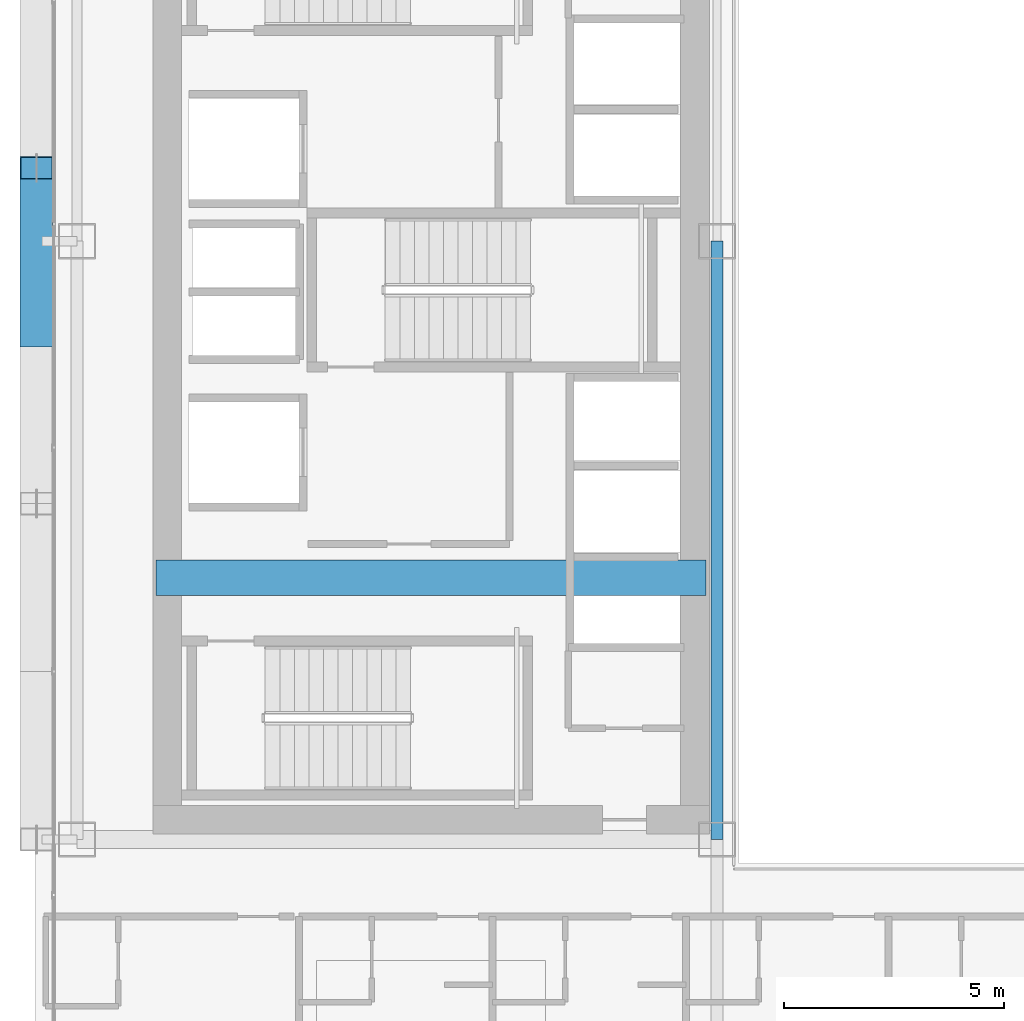
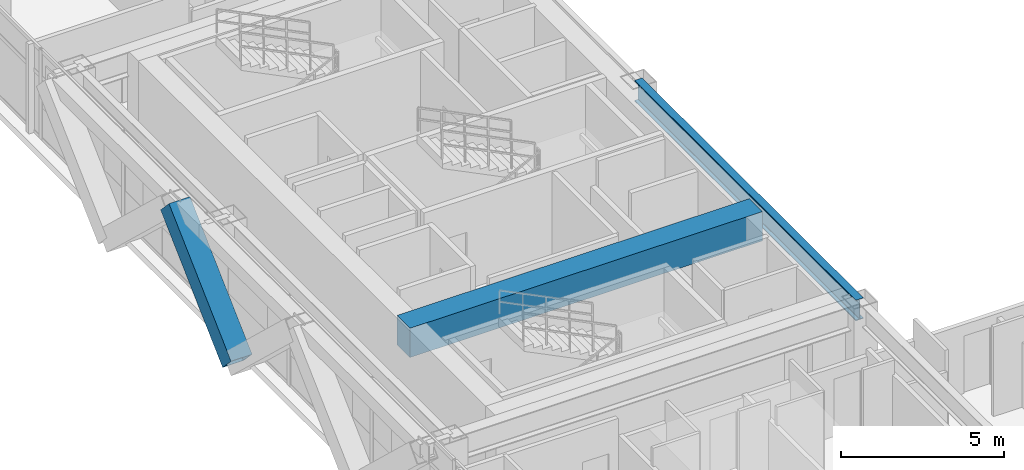
# One storey, part 7 of 35: 2 beams, 1 member.
"""IFC4 building model written with IfcOpenShell, lengths in metres."""

from ifc_helpers import new_model, si_unit, direction, frame, origin, origin_2d, place, context, subcontext, project, spatial, rectangle, hollow_rectangle, i_section, extrude, source, transform, mapped, material, material_profile, profile_set, type_object, element, save


model = new_model("IFC4")

# Units and contexts
model_context = context("Model", 3, precision=1e-05, world=origin(), true_north=direction((0.0, 1.0)))
body_context = subcontext(model_context, "Body", "Model", "MODEL_VIEW")
ifc_project = project(units=[si_unit("LENGTHUNIT", "METRE"), si_unit("AREAUNIT", "SQUARE_METRE"), si_unit("VOLUMEUNIT", "CUBIC_METRE"), si_unit("PLANEANGLEUNIT", "RADIAN"), si_unit("MASSUNIT", "GRAM", prefix="KILO")], contexts=[model_context])

# Site, building, storey
site_placement = place(None, origin())
site = spatial("IfcSite", under=ifc_project, at=site_placement, CompositionType="ELEMENT")
building_placement = place(site_placement, origin())
building = spatial("IfcBuilding", under=site, at=building_placement, Name="Ocotamira Hotel", CompositionType="ELEMENT")
storey_placement = place(building_placement, frame((0.0, 0.0, 100.800048828125)))
storey = spatial("IfcBuildingStorey", under=building, at=storey_placement, Name="L24", CompositionType="ELEMENT", Elevation=100.800048828125)

# Beams
ifc_material_1 = material(Name="Concrete C60/75", Category="concrete")
ifc_material_profile_1 = material_profile(ifc_material_1, rectangle(XDim=0.800048828125, YDim=1.10009765625, at=origin_2d()), Name="RC800X1100")
ifc_profile_set_1 = profile_set([ifc_material_profile_1], Name="Concrete C60/75")
beam_type_1 = type_object("IfcBeamType", Name="BM-LINK-RC800", PredefinedType="LINTEL", material=ifc_profile_set_1)
shared_shape_1 = source(origin(), body_context, "Body", "SweptSolid", [
    extrude(rectangle(XDim=0.800048828125, YDim=1.10009765625, at=origin_2d()), origin(), (0.0, 0.0, 1.0), 12.5),
])
beam_1_placement = place(storey_placement, frame((10.75, 20.5, 2.81005859375), z_axis=(1.0, 0.0, 0.0), x_axis=(0.0, 1.0, 0.0)))
element("IfcBeam", 1, at=beam_1_placement, inside=storey, type_object=beam_type_1, Name="L24 West Core Coupling Beam", PredefinedType="LINTEL", context=body_context, shape_type="MappedRepresentation", body=[
    mapped(shared_shape_1, transform((0.0, 0.0, 0.0), scale=1.0)),
])
ifc_material_2 = material(Name="Steel ASTM A992 Grade 50", Category="steel")
ifc_material_profile_2 = material_profile(ifc_material_2, i_section(OverallWidth=0.26611328125, OverallDepth=0.779052734375, WebThickness=0.0166015625, FlangeThickness=0.030029296875, FilletRadius=0.01806640625, at=origin_2d()), Name="W30X148")
ifc_profile_set_2 = profile_set([ifc_material_profile_2], Name="Steel ASTM A992 Grade 50")
beam_type_2 = type_object("IfcBeamType", Name="BM-GIRD-W30X148", PredefinedType="BEAM", material=ifc_profile_set_2)
shared_shape_2 = source(origin(), body_context, "Body", "SweptSolid", [
    extrude(i_section(OverallWidth=0.26611328125, OverallDepth=0.779052734375, WebThickness=0.0166015625, FlangeThickness=0.030029296875, FilletRadius=0.01806640625, at=origin_2d()), origin(), (0.0, 0.0, 1.0), 13.599853515625),
])
beam_2_placement = place(storey_placement, frame((23.5, 14.550048828125, 2.970458984375), z_axis=(0.0, 1.0, 0.0), x_axis=(-1.0, 0.0, 0.0)))
element("IfcBeam", 2, at=beam_2_placement, inside=storey, type_object=beam_type_2, Name="L24 Beam X23.5 Y14.55-28.15", PredefinedType="BEAM", context=body_context, shape_type="MappedRepresentation", body=[
    mapped(shared_shape_2, transform((0.0, 0.0, 0.0), scale=1.0)),
])

# Member
ifc_material_3 = material(Name="Pale-metal coated steel ASTM A913 Grade 65", Category="steel")
ifc_material_profile_3 = material_profile(ifc_material_3, hollow_rectangle(XDim=0.75, YDim=0.75, WallThickness=0.028076171875, at=origin_2d()), Name="BOX750X750X28")
ifc_profile_set_3 = profile_set([ifc_material_profile_3], Name="Pale-metal coated steel ASTM A913 Grade 65")
member_type = type_object("IfcMemberType", Name="MEM-EXO-BOX750", PredefinedType="BRACE", material=ifc_profile_set_3)
shared_shape_3 = source(origin(), body_context, "Body", "SweptSolid", [
    extrude(hollow_rectangle(XDim=0.75, YDim=0.75, WallThickness=0.028076171875, at=origin_2d()), origin(), (0.0, 0.0, 1.0), 5.24658203125),
])
member_placement = place(storey_placement, frame((8.030029296875, 26.0, -0.489990234375), z_axis=(0.0, 0.72746596067, 0.686143772154), x_axis=(-1.0, 0.0, 0.0)))
element("IfcMember", 3, at=member_placement, inside=storey, type_object=member_type, Name="L24 Exoskeleton Diagrid W1.2", PredefinedType="BRACE", context=body_context, shape_type="MappedRepresentation", body=[
    mapped(shared_shape_3, transform((0.0, 0.0, 0.0), scale=1.0)),
])

save(model, "model.ifc")
